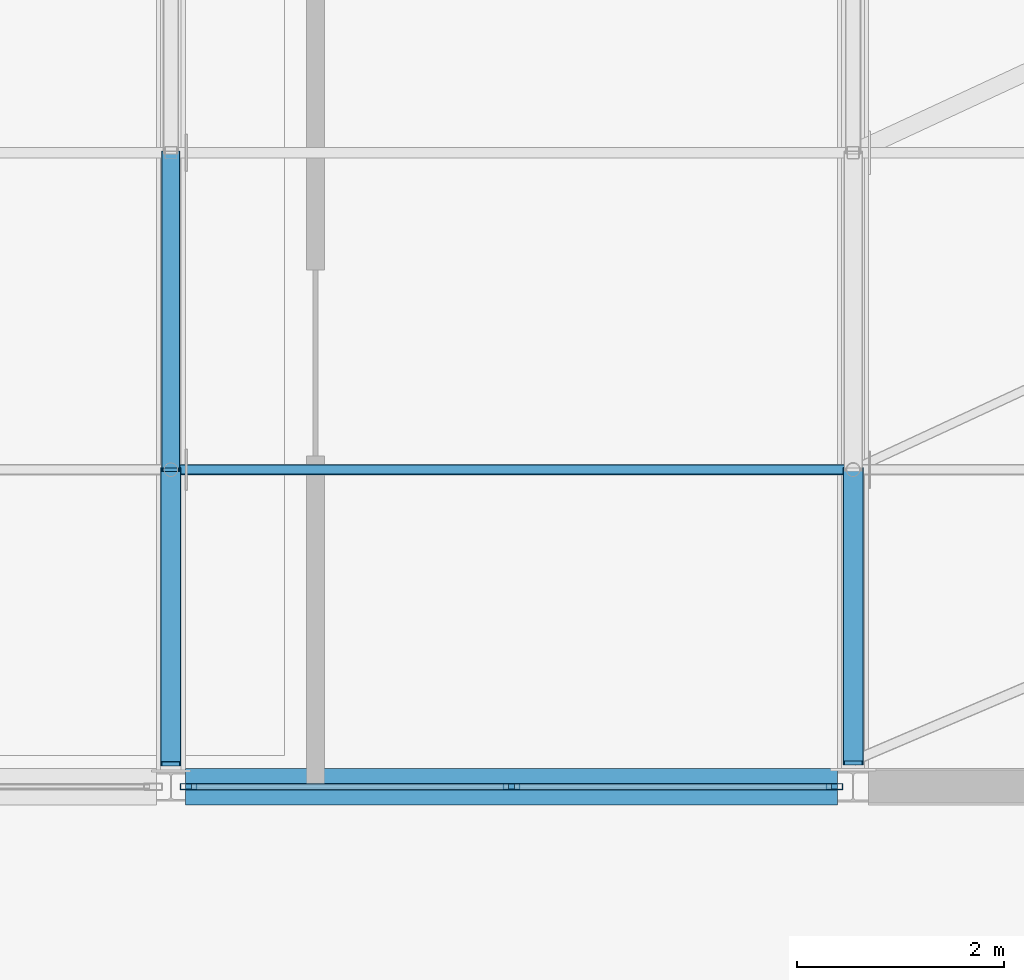
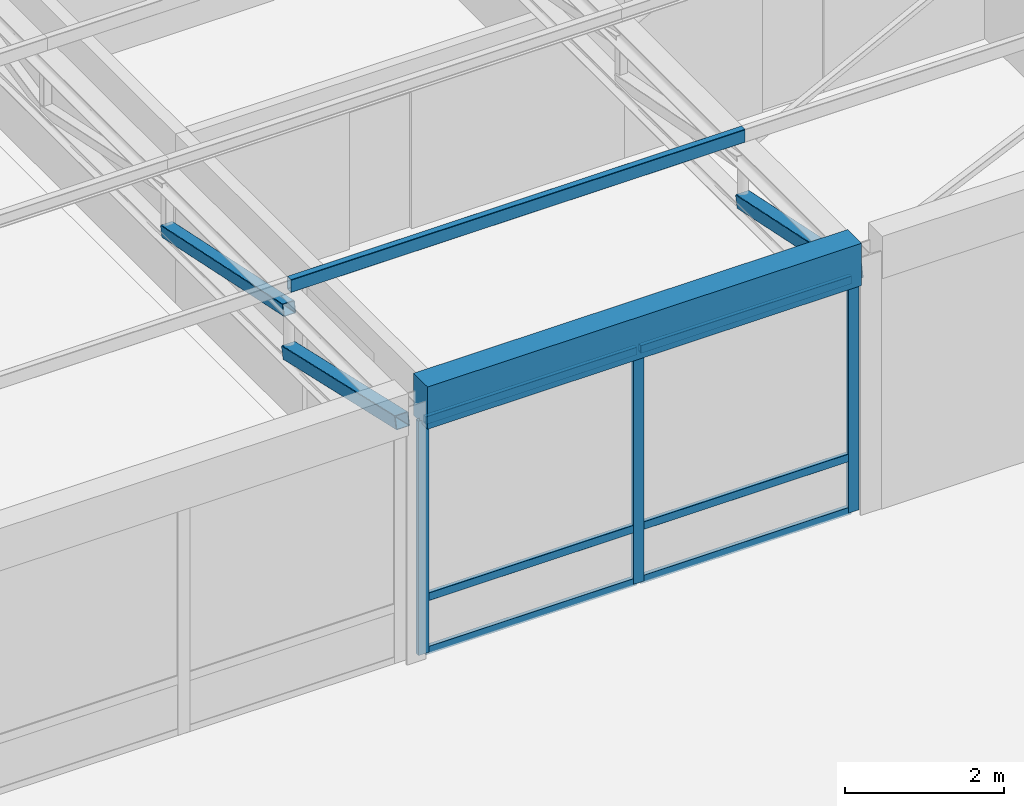
# One storey, part 24 of 92: 13 members, 1 beam, 1 element without a shape of its own.
"""IFC4 building model written with IfcOpenShell, lengths in metres."""

from ifc_helpers import new_model, si_unit, direction, frame, origin, origin_2d, place, context, subcontext, project, spatial, rectangle, hollow_rectangle, extrude, material, material_profile, profile_set, type_object, element, aggregate, save


model = new_model("IFC4")

# Units and contexts
model_context = context("Model", 3, precision=1e-05, world=origin(), true_north=direction((0.0, 1.0)))
body_context = subcontext(model_context, "Body", "Model", "MODEL_VIEW")
ifc_project = project(units=[si_unit("LENGTHUNIT", "METRE"), si_unit("AREAUNIT", "SQUARE_METRE"), si_unit("VOLUMEUNIT", "CUBIC_METRE"), si_unit("PLANEANGLEUNIT", "RADIAN"), si_unit("MASSUNIT", "GRAM", prefix="KILO")], contexts=[model_context])

# Site, building, storey
site_placement = place(None, origin())
site = spatial("IfcSite", under=ifc_project, at=site_placement, CompositionType="ELEMENT")
building_placement = place(site_placement, origin())
building = spatial("IfcBuilding", under=site, at=building_placement, Name="Kernevlak Ridge Housing Community", CompositionType="ELEMENT")
storey_placement = place(building_placement, frame((0.0, 0.0, 4.199951171875)))
storey = spatial("IfcBuildingStorey", under=building, at=storey_placement, Name="L01", CompositionType="ELEMENT", Elevation=4.199951171875)

# Beam
ifc_material_1 = material(Name="Concrete C35/45", Category="concrete")
ifc_material_profile_1 = material_profile(ifc_material_1, rectangle(XDim=0.35009765625, YDim=0.64990234375, at=origin_2d()), Name="RC 350x650")
ifc_profile_set_1 = profile_set([ifc_material_profile_1], Name="Concrete C35/45")
beam_type = type_object("IfcBeamType", Name="B-02", PredefinedType="BEAM", material=ifc_profile_set_1)
beam_placement = place(storey_placement, frame((90.739990234375, 49.800048828125, 3.875), z_axis=(1.0, 0.0, 0.0), x_axis=(0.0, 1.0, 0.0)))
element("IfcBeam", 1, at=beam_placement, inside=storey, type_object=beam_type, Name="Beam B-02 L01 2411", PredefinedType="BEAM", context=body_context, shape_type="SweptSolid", body=[
    extrude(rectangle(XDim=0.35009765625, YDim=0.64990234375, at=origin_2d()), origin(), (0.0, 0.0, 1.0), 6.31005859375),
])

# Members
ifc_material_2 = material(Name="Steel S355", Category="steel")
ifc_material_profile_2 = material_profile(ifc_material_2, hollow_rectangle(XDim=0.199951171875, YDim=0.199951171875, WallThickness=0.010009765625, InnerFilletRadius=0.010009765625, OuterFilletRadius=0.014892578125, at=origin_2d()), Name="SHS 200x200x10")
ifc_profile_set_2 = profile_set([ifc_material_profile_2], Name="Steel S355")
member_type_1 = type_object("IfcMemberType", Name="BR-01", PredefinedType="BRACE", material=ifc_profile_set_2)
member_1_placement = place(storey_placement, frame((90.60009765625, 50.02001953125, 3.489990234375), z_axis=(0.0, 0.975277256909, -0.220984778109), x_axis=(-1.0, 0.0, 0.0)))
element("IfcMember", 2, at=member_1_placement, inside=storey, type_object=member_type_1, Name="Community Hall roof truss 5 web diagonal 1", PredefinedType="BRACE", context=body_context, shape_type="SweptSolid", body=[
    extrude(hollow_rectangle(XDim=0.199951171875, YDim=0.199951171875, WallThickness=0.010009765625, InnerFilletRadius=0.010009765625, OuterFilletRadius=0.014892578125, at=origin_2d()), origin(), (0.0, 0.0, 1.0), 2.9189453125),
])
member_2_placement = place(storey_placement, frame((97.199951171875, 50.030029296875, 3.449951171875), z_axis=(0.0, 0.978704122893, -0.205276008907), x_axis=(-1.0, 0.0, 0.0)))
element("IfcMember", 3, at=member_2_placement, inside=storey, type_object=member_type_1, Name="Community Hall roof truss 6 web diagonal 1", PredefinedType="BRACE", context=body_context, shape_type="SweptSolid", body=[
    extrude(hollow_rectangle(XDim=0.199951171875, YDim=0.199951171875, WallThickness=0.010009765625, InnerFilletRadius=0.010009765625, OuterFilletRadius=0.014892578125, at=origin_2d()), origin(), (0.0, 0.0, 1.0), 2.8984375),
])
ifc_material_profile_3 = material_profile(ifc_material_2, hollow_rectangle(XDim=0.179931640625, YDim=0.179931640625, WallThickness=0.010009765625, InnerFilletRadius=0.010009765625, OuterFilletRadius=0.014892578125, at=origin_2d()), Name="SHS 180x180x10")
ifc_profile_set_3 = profile_set([ifc_material_profile_3], Name="Steel S355")
member_type_2 = type_object("IfcMemberType", Name="BR-02", PredefinedType="BRACE", material=ifc_profile_set_3)
member_3_placement = place(storey_placement, frame((90.60009765625, 52.86669921875, 3.489990234375), z_axis=(0.0, 0.978587791815, -0.205829865932), x_axis=(-1.0, 0.0, 0.0)))
element("IfcMember", 4, at=member_3_placement, inside=storey, type_object=member_type_2, Name="Community Hall roof truss 5 web diagonal 2", PredefinedType="BRACE", context=body_context, shape_type="SweptSolid", body=[
    extrude(hollow_rectangle(XDim=0.179931640625, YDim=0.179931640625, WallThickness=0.010009765625, InnerFilletRadius=0.010009765625, OuterFilletRadius=0.014892578125, at=origin_2d()), origin(), (0.0, 0.0, 1.0), 3.1337890625),
])

# Curtain wall, members
ifc_material_3 = material(Name="Aluminium EN AW-6060 anodised and laminated glass", Category="aluminium")
curtain_wall_type = type_object("IfcCurtainWallType", Name="CW-10", PredefinedType="NOTDEFINED", material=ifc_material_3)
curtain_wall_placement = place(storey_placement, origin())
curtain_wall = element("IfcCurtainWall", 5, at=curtain_wall_placement, inside=storey, type_object=curtain_wall_type, Name="Curtain wall CW-10 CW-L01-181", PredefinedType="NOTDEFINED")
ifc_material_4 = material(Name="Aluminium EN AW-6060 anodised", Category="aluminium")
ifc_material_profile_4 = material_profile(ifc_material_4, hollow_rectangle(XDim=0.06005859375, YDim=0.159912109375, WallThickness=0.00390625, InnerFilletRadius=0.001953125, OuterFilletRadius=0.00390625, at=origin_2d()), Name="ALU 60x160x4")
ifc_profile_set_4 = profile_set([ifc_material_profile_4], Name="Aluminium EN AW-6060 anodised")
member_type_3 = type_object("IfcMemberType", Name="MU-02", PredefinedType="MULLION", material=ifc_profile_set_4)
member_4_placement = place(storey_placement, frame((90.77001953125, 49.800048828125, 0.0), z_axis=(0.0, 0.0, 1.0), x_axis=(0.0, 1.0, 0.0)))
member_4 = element("IfcMember", 6, at=member_4_placement, type_object=member_type_3, Name="CW-10 mullion 1", PredefinedType="MULLION", context=body_context, shape_type="SweptSolid", body=[
    extrude(hollow_rectangle(XDim=0.06005859375, YDim=0.159912109375, WallThickness=0.00390625, InnerFilletRadius=0.001953125, OuterFilletRadius=0.00390625, at=origin_2d()), origin(), (0.0, 0.0, 1.0), 3.60009765625),
])
member_5_placement = place(storey_placement, frame((93.89501953125, 49.800048828125, 0.0), z_axis=(0.0, 0.0, 1.0), x_axis=(0.0, 1.0, 0.0)))
member_5 = element("IfcMember", 7, at=member_5_placement, type_object=member_type_3, Name="CW-10 mullion 2", PredefinedType="MULLION", context=body_context, shape_type="SweptSolid", body=[
    extrude(hollow_rectangle(XDim=0.06005859375, YDim=0.159912109375, WallThickness=0.00390625, InnerFilletRadius=0.001953125, OuterFilletRadius=0.00390625, at=origin_2d()), origin(), (0.0, 0.0, 1.0), 3.60009765625),
])
member_6_placement = place(storey_placement, frame((97.02001953125, 49.800048828125, 0.0), z_axis=(0.0, 0.0, 1.0), x_axis=(0.0, 1.0, 0.0)))
member_6 = element("IfcMember", 8, at=member_6_placement, type_object=member_type_3, Name="CW-10 mullion 3", PredefinedType="MULLION", context=body_context, shape_type="SweptSolid", body=[
    extrude(hollow_rectangle(XDim=0.06005859375, YDim=0.159912109375, WallThickness=0.00390625, InnerFilletRadius=0.001953125, OuterFilletRadius=0.00390625, at=origin_2d()), origin(), (0.0, 0.0, 1.0), 3.60009765625),
])

# Member
ifc_material_profile_5 = material_profile(ifc_material_2, hollow_rectangle(XDim=0.10009765625, YDim=0.199951171875, WallThickness=0.008056640625, InnerFilletRadius=0.008056640625, OuterFilletRadius=0.011962890625, at=origin_2d()), Name="RHS 200x100x8")
ifc_profile_set_5 = profile_set([ifc_material_profile_5], Name="Steel S355")
member_type_4 = type_object("IfcMemberType", Name="PU-05", PredefinedType="PURLIN", material=ifc_profile_set_5)
member_7_placement = place(storey_placement, frame((90.60009765625, 52.86669921875, 3.860107421875), z_axis=(1.0, 0.0, 0.0), x_axis=(0.0, 1.0, 0.0)))
element("IfcMember", 9, at=member_7_placement, inside=storey, type_object=member_type_4, Name="Community Hall steel roof purlin 5.2", PredefinedType="PURLIN", context=body_context, shape_type="SweptSolid", body=[
    extrude(hollow_rectangle(XDim=0.10009765625, YDim=0.199951171875, WallThickness=0.008056640625, InnerFilletRadius=0.008056640625, OuterFilletRadius=0.011962890625, at=origin_2d()), origin(), (0.0, 0.0, 1.0), 6.599853515625),
])

ifc_material_profile_6 = material_profile(ifc_material_4, hollow_rectangle(XDim=0.06005859375, YDim=0.1201171875, WallThickness=0.00390625, InnerFilletRadius=0.001953125, OuterFilletRadius=0.00390625, at=origin_2d()), Name="ALU 60x120x4")
ifc_profile_set_6 = profile_set([ifc_material_profile_6], Name="Aluminium EN AW-6060 anodised")
member_type_5 = type_object("IfcMemberType", Name="TM-02", PredefinedType="USERDEFINED", material=ifc_profile_set_6)
member_8_placement = place(storey_placement, frame((90.800048828125, 49.800048828125, 0.030029296875), z_axis=(1.0, 0.0, 0.0), x_axis=(0.0, 1.0, 0.0)))
member_8 = element("IfcMember", 10, at=member_8_placement, type_object=member_type_5, Name="CW-10 transom 1.1", ObjectType="TRANSOM", PredefinedType="USERDEFINED", context=body_context, shape_type="SweptSolid", body=[
    extrude(hollow_rectangle(XDim=0.06005859375, YDim=0.1201171875, WallThickness=0.00390625, InnerFilletRadius=0.001953125, OuterFilletRadius=0.00390625, at=origin_2d()), origin(), (0.0, 0.0, 1.0), 3.06494140625),
])

member_9_placement = place(storey_placement, frame((90.800048828125, 49.800048828125, 0.85009765625), z_axis=(1.0, 0.0, 0.0), x_axis=(0.0, 1.0, 0.0)))
member_9 = element("IfcMember", 11, at=member_9_placement, type_object=member_type_5, Name="CW-10 transom 1.2", ObjectType="TRANSOM", PredefinedType="USERDEFINED", context=body_context, shape_type="SweptSolid", body=[
    extrude(hollow_rectangle(XDim=0.06005859375, YDim=0.1201171875, WallThickness=0.00390625, InnerFilletRadius=0.001953125, OuterFilletRadius=0.00390625, at=origin_2d()), origin(), (0.0, 0.0, 1.0), 3.06494140625),
])

member_10_placement = place(storey_placement, frame((90.800048828125, 49.800048828125, 3.570068359375), z_axis=(1.0, 0.0, 0.0), x_axis=(0.0, 1.0, 0.0)))
member_10 = element("IfcMember", 12, at=member_10_placement, type_object=member_type_5, Name="CW-10 transom 1.3", ObjectType="TRANSOM", PredefinedType="USERDEFINED", context=body_context, shape_type="SweptSolid", body=[
    extrude(hollow_rectangle(XDim=0.06005859375, YDim=0.1201171875, WallThickness=0.00390625, InnerFilletRadius=0.001953125, OuterFilletRadius=0.00390625, at=origin_2d()), origin(), (0.0, 0.0, 1.0), 3.06494140625),
])

member_11_placement = place(storey_placement, frame((93.925048828125, 49.800048828125, 0.030029296875), z_axis=(1.0, 0.0, 0.0), x_axis=(0.0, 1.0, 0.0)))
member_11 = element("IfcMember", 13, at=member_11_placement, type_object=member_type_5, Name="CW-10 transom 2.1", ObjectType="TRANSOM", PredefinedType="USERDEFINED", context=body_context, shape_type="SweptSolid", body=[
    extrude(hollow_rectangle(XDim=0.06005859375, YDim=0.1201171875, WallThickness=0.00390625, InnerFilletRadius=0.001953125, OuterFilletRadius=0.00390625, at=origin_2d()), origin(), (0.0, 0.0, 1.0), 3.06494140625),
])

member_12_placement = place(storey_placement, frame((93.925048828125, 49.800048828125, 0.85009765625), z_axis=(1.0, 0.0, 0.0), x_axis=(0.0, 1.0, 0.0)))
member_12 = element("IfcMember", 14, at=member_12_placement, type_object=member_type_5, Name="CW-10 transom 2.2", ObjectType="TRANSOM", PredefinedType="USERDEFINED", context=body_context, shape_type="SweptSolid", body=[
    extrude(hollow_rectangle(XDim=0.06005859375, YDim=0.1201171875, WallThickness=0.00390625, InnerFilletRadius=0.001953125, OuterFilletRadius=0.00390625, at=origin_2d()), origin(), (0.0, 0.0, 1.0), 3.06494140625),
])

member_13_placement = place(storey_placement, frame((93.925048828125, 49.800048828125, 3.570068359375), z_axis=(1.0, 0.0, 0.0), x_axis=(0.0, 1.0, 0.0)))
member_13 = element("IfcMember", 15, at=member_13_placement, type_object=member_type_5, Name="CW-10 transom 2.3", ObjectType="TRANSOM", PredefinedType="USERDEFINED", context=body_context, shape_type="SweptSolid", body=[
    extrude(hollow_rectangle(XDim=0.06005859375, YDim=0.1201171875, WallThickness=0.00390625, InnerFilletRadius=0.001953125, OuterFilletRadius=0.00390625, at=origin_2d()), origin(), (0.0, 0.0, 1.0), 3.06494140625),
])

aggregate(curtain_wall, [member_4, member_5, member_6, member_8, member_9, member_10, member_11, member_12, member_13])

save(model, "model.ifc")
